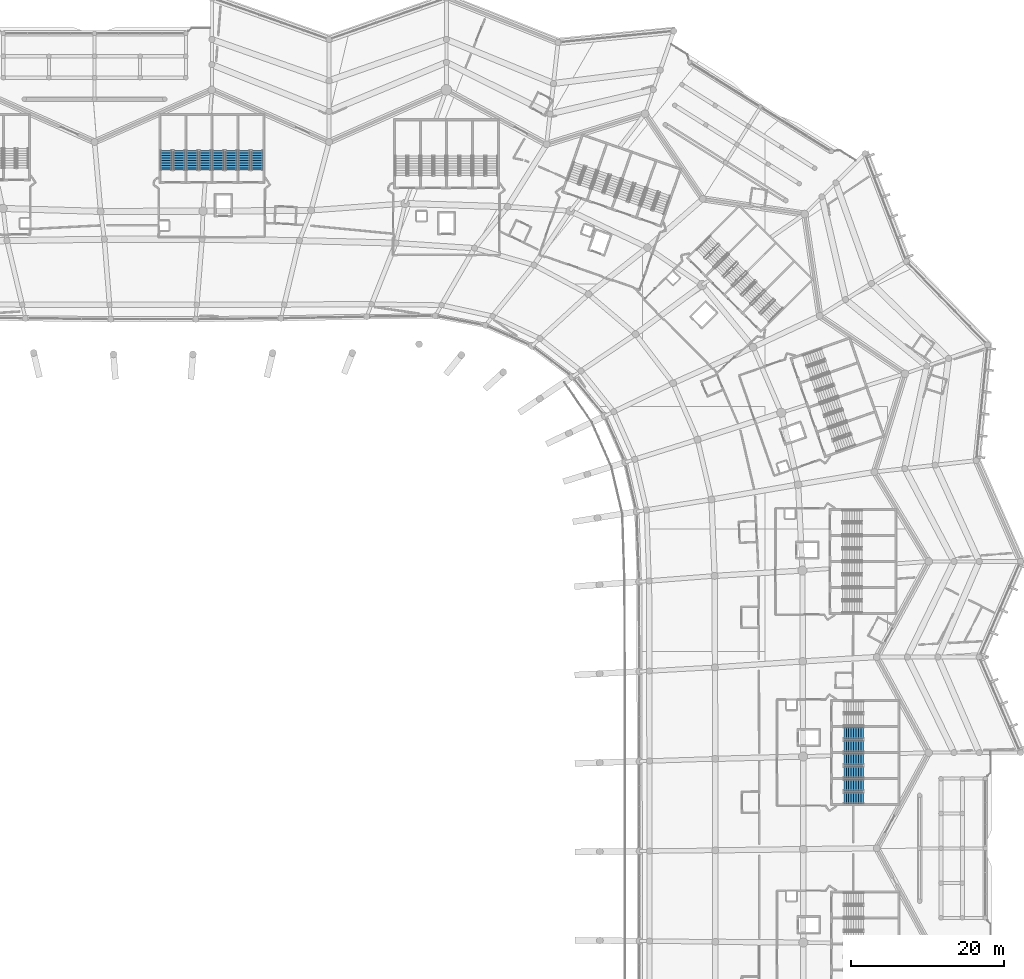
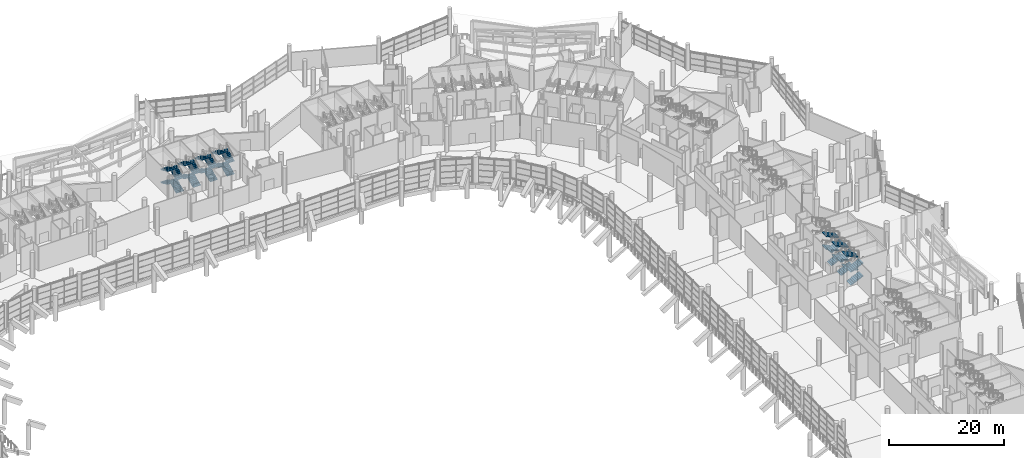
# One storey, part 217 of 271: 28 stair flights, 7 elements without a shape of their own.
"""IFC4 building model written with IfcOpenShell, lengths in metres."""

import ifcopenshell
import ifcopenshell.guid

model = None  # the IFC model being written
_history = None  # IfcOwnerHistory: only IFC2X3 demands one
_inside = {}  # id of a spatial element -> (the spatial element, [elements in it])
_under = {}  # id of a project, library or spatial element -> (it, [spatial elements below it])
_declared = {}  # id of a project -> (the project, [libraries it declares])
_typed = {}  # id of a type object -> (the type object, [elements of that type])
_made_of = {}  # id of a material, layer set ... -> (it, [elements and type objects made of it])


def new_model(schema):
    """Start an empty IFC model of exactly this schema.

    Asked for "IFC4X3", IfcOpenShell would pick the latest addendum, in which some entities
    have other attributes; the version numbers below select the first issue.
    IFC2X3 requires an IfcOwnerHistory on every rooted entity: one is made here for all.
    """
    global model, _history
    if schema == "IFC4X3":
        model = ifcopenshell.file(schema_version=(4, 3, 0, 0))
    else:
        model = ifcopenshell.file(schema=schema)
    _inside.clear()
    _under.clear()
    _declared.clear()
    _typed.clear()
    _made_of.clear()
    _history = None
    if model.schema == "IFC2X3":
        org = make("IfcOrganization", Name="unknown")
        user = make(
            "IfcPersonAndOrganization",
            ThePerson=make("IfcPerson", FamilyName="unknown"),
            TheOrganization=org,
        )
        app = make(
            "IfcApplication",
            ApplicationDeveloper=org,
            Version="unknown",
            ApplicationFullName="unknown",
            ApplicationIdentifier="unknown",
        )
        _history = make(
            "IfcOwnerHistory",
            OwningUser=user,
            OwningApplication=app,
            ChangeAction="ADDED",
            CreationDate=0,
        )
    return model


def make(cls, **values):
    """One entity of the class cls with the attributes given. An attribute that is None is left unset."""
    return model.create_entity(
        cls, **{name: value for name, value in values.items() if value is not None}
    )


def rooted(cls, **values):
    """An entity with a GlobalId (a new one), such as an element, a storey or a relation."""
    return make(cls, GlobalId=ifcopenshell.guid.new(), OwnerHistory=_history, **values)


def si_unit(unit_type, name, prefix=None):
    """IfcSIUnit, for example si_unit("LENGTHUNIT", "METRE", prefix="MILLI")."""
    return make("IfcSIUnit", UnitType=unit_type, Prefix=prefix, Name=name)


def assignment(units):
    """IfcUnitAssignment: the units of a project."""
    return None if units is None else make("IfcUnitAssignment", Units=units)


def point(xyz):
    """IfcCartesianPoint."""
    return None if xyz is None else make("IfcCartesianPoint", Coordinates=xyz)


def direction(xyz):
    """IfcDirection."""
    return None if xyz is None else make("IfcDirection", DirectionRatios=xyz)


def frame(location, z_axis=None, x_axis=None):
    """IfcAxis2Placement3D, a coordinate frame: its origin and axes. An axis left out is left unset."""
    return make(
        "IfcAxis2Placement3D",
        Location=point(location),
        Axis=direction(z_axis),
        RefDirection=direction(x_axis),
    )


def origin():
    """The frame at (0, 0, 0) with its axes left unset."""
    return frame((0.0, 0.0, 0.0))


def place(relative_to, where):
    """IfcLocalPlacement: puts the frame where relative to a parent placement (None: the world)."""
    return make(
        "IfcLocalPlacement", PlacementRelTo=relative_to, RelativePlacement=where
    )


def context(
    kind, dimensions, precision=None, world=None, true_north=None, identifier=None
):
    """IfcGeometricRepresentationContext, for example the 3D "Model" context."""
    return make(
        "IfcGeometricRepresentationContext",
        ContextIdentifier=identifier,
        ContextType=kind,
        CoordinateSpaceDimension=dimensions,
        Precision=precision,
        WorldCoordinateSystem=world,
        TrueNorth=true_north,
    )


def subcontext(parent, identifier, kind, view, scale=None):
    """IfcGeometricRepresentationSubContext, for example "Body" below "Model"."""
    return make(
        "IfcGeometricRepresentationSubContext",
        ContextIdentifier=identifier,
        ContextType=kind,
        ParentContext=parent,
        TargetScale=scale,
        TargetView=view,
    )


def project(units=None, contexts=None):
    """IfcProject with its units and contexts."""
    return rooted(
        "IfcProject",
        Name="project",
        RepresentationContexts=contexts,
        UnitsInContext=assignment(units),
    )


def spatial(cls, under=None, at=None, **own):
    """A site, building, storey or space (cls), placed at a placement, below another one or the project."""
    s = rooted(cls, ObjectPlacement=at, **own)
    if under is not None:
        _under.setdefault(under.id(), (under, []))[1].append(s)
    return s


def polyline(points):
    """IfcPolyline through the points."""
    return make("IfcPolyline", Points=[point(p) for p in points])


def outline(outer, holes=None, kind="AREA"):
    """IfcArbitraryClosedProfileDef: a profile drawn as a closed curve; with holes, ...WithVoids."""
    if holes is None:
        return make("IfcArbitraryClosedProfileDef", ProfileType=kind, OuterCurve=outer)
    return make(
        "IfcArbitraryProfileDefWithVoids",
        ProfileType=kind,
        OuterCurve=outer,
        InnerCurves=holes,
    )


def extrude(swept, where, along, depth):
    """IfcExtrudedAreaSolid: the profile swept, set in the frame where, extruded along a direction by depth."""
    return make(
        "IfcExtrudedAreaSolid",
        SweptArea=swept,
        Position=where,
        ExtrudedDirection=direction(along),
        Depth=depth,
    )


def shape(context_of_items, identifier, shape_type, items):
    """IfcShapeRepresentation: the items that make up one representation, for example the "Body"."""
    return make(
        "IfcShapeRepresentation",
        ContextOfItems=context_of_items,
        RepresentationIdentifier=identifier,
        RepresentationType=shape_type,
        Items=items,
    )


def material(Name=None, Category=None):
    """IfcMaterial."""
    return make("IfcMaterial", Name=Name, Category=Category)


def made_of(thing, what):
    """Note that an element or type object is made of a material, layer set ...; save() writes the relation."""
    if what is not None:
        _made_of.setdefault(what.id(), (what, []))[1].append(thing)
    return thing


def type_object(cls, material=None, **own):
    """A type object (cls), such as IfcWallType, which elements share."""
    return made_of(rooted(cls, **own), material)


def element(
    cls,
    number,
    at=None,
    inside=None,
    cuts=None,
    type_object=None,
    material=None,
    context=None,
    identifier="Body",
    shape_type=None,
    held_by="IfcProductDefinitionShape",
    body=None,
    shapes=None,
    **own,
):
    """One element of the class cls, such as IfcWall. Its Tag is "e" and its number.

    at: its placement. inside: the storey or other place that contains it. cuts: it is an
    opening in that element (IfcRelVoidsElement). A single representation is given by context,
    identifier, shape_type and body (its items); several are given by shapes. held_by: the class
    of the entity that holds the representations. save() writes the other relations.
    """
    e = rooted(cls, Tag="e%d" % number, ObjectPlacement=at, **own)
    if body is not None:
        shapes = [shape(context, identifier, shape_type, body)]
    if shapes is not None:
        e.Representation = make(held_by, Representations=shapes)
    if inside is not None:
        _inside.setdefault(inside.id(), (inside, []))[1].append(e)
    if cuts is not None:
        rooted(
            "IfcRelVoidsElement", RelatingBuildingElement=cuts, RelatedOpeningElement=e
        )
    if type_object is not None:
        _typed.setdefault(type_object.id(), (type_object, []))[1].append(e)
    return made_of(e, material)


def aggregate(whole, parts):
    """IfcRelAggregates: a whole, such as a stair, and the parts it consists of."""
    return rooted("IfcRelAggregates", RelatingObject=whole, RelatedObjects=parts)


def save(model, path):
    """Write the relations noted so far, then the file.

    IfcRelAggregates (storeys below a building ...), IfcRelContainedInSpatialStructure (elements
    in a storey), IfcRelDefinesByType, IfcRelAssociatesMaterial and IfcRelDeclares: one each for
    every whole, place, type object, material and project.
    """
    for whole, parts in _under.values():
        aggregate(whole, parts)
    for where, things in _inside.values():
        rooted(
            "IfcRelContainedInSpatialStructure",
            RelatedElements=things,
            RelatingStructure=where,
        )
    for kind, things in _typed.values():
        rooted("IfcRelDefinesByType", RelatedObjects=things, RelatingType=kind)
    for what, things in _made_of.values():
        rooted("IfcRelAssociatesMaterial", RelatedObjects=things, RelatingMaterial=what)
    for by, libraries in _declared.values():
        rooted("IfcRelDeclares", RelatingContext=by, RelatedDefinitions=libraries)
    model.write(path)


model = new_model("IFC4")

# Units and contexts
model_context = context("Model", 3, precision=1e-05, world=origin(), true_north=direction((0.0, 1.0)))
body_context = subcontext(model_context, "Body", "Model", "MODEL_VIEW")
ifc_project = project(units=[si_unit("LENGTHUNIT", "METRE"), si_unit("AREAUNIT", "SQUARE_METRE"), si_unit("VOLUMEUNIT", "CUBIC_METRE"), si_unit("PLANEANGLEUNIT", "RADIAN"), si_unit("MASSUNIT", "GRAM", prefix="KILO")], contexts=[model_context])

# Site, building, storey
site_placement = place(None, origin())
site = spatial("IfcSite", under=ifc_project, at=site_placement, CompositionType="ELEMENT")
building_placement = place(site_placement, origin())
building = spatial("IfcBuilding", under=site, at=building_placement, Name="Meseta Stadium", CompositionType="ELEMENT")
storey_placement = place(building_placement, frame((0.0, 0.0, 6.5)))
storey = spatial("IfcBuildingStorey", under=building, at=storey_placement, Name="L01", CompositionType="ELEMENT", Elevation=6.5)

# Stair, stair flights
ifc_material_1 = material(Name="Concrete C40/50", Category="concrete")
stair_type = type_object("IfcStairType", Name="Exit stair 4 flights 153 mm risers", PredefinedType="HALF_TURN_STAIR", material=ifc_material_1)
stair_1_placement = place(storey_placement, origin())
stair_1 = element("IfcStair", 1, at=stair_1_placement, inside=storey, type_object=stair_type, Name="ST13 L01", PredefinedType="HALF_TURN_STAIR")
ifc_material_2 = material(Name="Concrete C40/50", Category="concrete")
stair_flight_type = type_object("IfcStairFlightType", Name="Exit stair flight 153 mm risers, 4 per storey", PredefinedType="STRAIGHT", material=ifc_material_2)
stair_flight_1_placement = place(storey_placement, frame((90.300048828125, 12.800048828125, 0.0), z_axis=(0.0, 0.0, 1.0), x_axis=(1.0, 0.0, 0.0)))
stair_flight_1 = element("IfcStairFlight", 2, at=stair_flight_1_placement, type_object=stair_flight_type, Name="ST13 L01 flight 1", NumberOfRisers=9, NumberOfTreads=8, PredefinedType="STRAIGHT", RiserHeight=0.152777778, TreadLength=0.32, context=body_context, shape_type="SweptSolid", body=[
    extrude(outline(polyline([(0.0, 0.0), (0.0, 0.15283203125), (0.320068359375, 0.15283203125), (0.320068359375, 0.3056640625), (0.639892578125, 0.3056640625), (0.639892578125, 0.458251953125), (0.9599609375, 0.458251953125), (0.9599609375, 0.611083984375), (1.280029296875, 0.611083984375), (1.280029296875, 0.763916015625), (1.60009765625, 0.763916015625), (1.60009765625, 0.916748046875), (1.919921875, 0.916748046875), (1.919921875, 1.0693359375), (2.239990234375, 1.0693359375), (2.239990234375, 1.22216796875), (2.56005859375, 1.22216796875), (2.56005859375, 1.05615234375), (0.347900390625, 0.0), (0.0, 0.0)])), frame((0.0, 0.75, 0.0), z_axis=(0.0, -1.0, 0.0), x_axis=(1.0, 0.0, 0.0)), (0.0, 0.0, 1.0), 1.5),
])
stair_flight_2_placement = place(storey_placement, frame((92.860107421875, 14.5, 1.375), z_axis=(0.0, 0.0, 1.0), x_axis=(-1.0, 0.0, 0.0)))
stair_flight_2 = element("IfcStairFlight", 3, at=stair_flight_2_placement, type_object=stair_flight_type, Name="ST13 L01 flight 2", NumberOfRisers=9, NumberOfTreads=8, PredefinedType="STRAIGHT", RiserHeight=0.152777778, TreadLength=0.32, context=body_context, shape_type="SweptSolid", body=[
    extrude(outline(polyline([(0.0, 0.0), (0.0, 0.15283203125), (0.320068359375, 0.15283203125), (0.320068359375, 0.3056640625), (0.639892578125, 0.3056640625), (0.639892578125, 0.458251953125), (0.9599609375, 0.458251953125), (0.9599609375, 0.611083984375), (1.280029296875, 0.611083984375), (1.280029296875, 0.763916015625), (1.60009765625, 0.763916015625), (1.60009765625, 0.916748046875), (1.919921875, 0.916748046875), (1.919921875, 1.0693359375), (2.239990234375, 1.0693359375), (2.239990234375, 1.22216796875), (2.56005859375, 1.22216796875), (2.56005859375, 1.05615234375), (0.347900390625, 0.0), (0.0, 0.0)])), frame((0.0, 0.75, 0.0), z_axis=(0.0, -1.0, 0.0), x_axis=(1.0, 0.0, 0.0)), (0.0, 0.0, 1.0), 1.5),
])
stair_flight_3_placement = place(storey_placement, frame((90.300048828125, 12.800048828125, 2.75), z_axis=(0.0, 0.0, 1.0), x_axis=(1.0, 0.0, 0.0)))
stair_flight_3 = element("IfcStairFlight", 4, at=stair_flight_3_placement, type_object=stair_flight_type, Name="ST13 L01 flight 3", NumberOfRisers=9, NumberOfTreads=8, PredefinedType="STRAIGHT", RiserHeight=0.152777778, TreadLength=0.32, context=body_context, shape_type="SweptSolid", body=[
    extrude(outline(polyline([(0.0, 0.0), (0.0, 0.15283203125), (0.320068359375, 0.15283203125), (0.320068359375, 0.3056640625), (0.639892578125, 0.3056640625), (0.639892578125, 0.458251953125), (0.9599609375, 0.458251953125), (0.9599609375, 0.611083984375), (1.280029296875, 0.611083984375), (1.280029296875, 0.763916015625), (1.60009765625, 0.763916015625), (1.60009765625, 0.916748046875), (1.919921875, 0.916748046875), (1.919921875, 1.0693359375), (2.239990234375, 1.0693359375), (2.239990234375, 1.22216796875), (2.56005859375, 1.22216796875), (2.56005859375, 1.05615234375), (0.347900390625, 0.0), (0.0, 0.0)])), frame((0.0, 0.75, 0.0), z_axis=(0.0, -1.0, 0.0), x_axis=(1.0, 0.0, 0.0)), (0.0, 0.0, 1.0), 1.5),
])
stair_flight_4_placement = place(storey_placement, frame((92.860107421875, 14.5, 4.125), z_axis=(0.0, 0.0, 1.0), x_axis=(-1.0, 0.0, 0.0)))
stair_flight_4 = element("IfcStairFlight", 5, at=stair_flight_4_placement, type_object=stair_flight_type, Name="ST13 L01 flight 4", NumberOfRisers=9, NumberOfTreads=8, PredefinedType="STRAIGHT", RiserHeight=0.152777778, TreadLength=0.32, context=body_context, shape_type="SweptSolid", body=[
    extrude(outline(polyline([(0.0, 0.0), (0.0, 0.15283203125), (0.320068359375, 0.15283203125), (0.320068359375, 0.3056640625), (0.639892578125, 0.3056640625), (0.639892578125, 0.458251953125), (0.9599609375, 0.458251953125), (0.9599609375, 0.611083984375), (1.280029296875, 0.611083984375), (1.280029296875, 0.763916015625), (1.60009765625, 0.763916015625), (1.60009765625, 0.916748046875), (1.919921875, 0.916748046875), (1.919921875, 1.0693359375), (2.239990234375, 1.0693359375), (2.239990234375, 1.22216796875), (2.56005859375, 1.22216796875), (2.56005859375, 1.05615234375), (0.347900390625, 0.0), (0.0, 0.0)])), frame((0.0, 0.75, 0.0), z_axis=(0.0, -1.0, 0.0), x_axis=(1.0, 0.0, 0.0)), (0.0, 0.0, 1.0), 1.5),
])
aggregate(stair_1, [stair_flight_1, stair_flight_2, stair_flight_3, stair_flight_4])

stair_2_placement = place(storey_placement, origin())
stair_2 = element("IfcStair", 6, at=stair_2_placement, inside=storey, type_object=stair_type, Name="ST14 L01", PredefinedType="HALF_TURN_STAIR")
stair_flight_5_placement = place(storey_placement, frame((90.300048828125, 16.199951171875, 0.0), z_axis=(0.0, 0.0, 1.0), x_axis=(1.0, 0.0, 0.0)))
stair_flight_5 = element("IfcStairFlight", 7, at=stair_flight_5_placement, type_object=stair_flight_type, Name="ST14 L01 flight 1", NumberOfRisers=9, NumberOfTreads=8, PredefinedType="STRAIGHT", RiserHeight=0.152777778, TreadLength=0.32, context=body_context, shape_type="SweptSolid", body=[
    extrude(outline(polyline([(0.0, 0.0), (0.0, 0.15283203125), (0.320068359375, 0.15283203125), (0.320068359375, 0.3056640625), (0.639892578125, 0.3056640625), (0.639892578125, 0.458251953125), (0.9599609375, 0.458251953125), (0.9599609375, 0.611083984375), (1.280029296875, 0.611083984375), (1.280029296875, 0.763916015625), (1.60009765625, 0.763916015625), (1.60009765625, 0.916748046875), (1.919921875, 0.916748046875), (1.919921875, 1.0693359375), (2.239990234375, 1.0693359375), (2.239990234375, 1.22216796875), (2.56005859375, 1.22216796875), (2.56005859375, 1.05615234375), (0.347900390625, 0.0), (0.0, 0.0)])), frame((0.0, 0.75, 0.0), z_axis=(0.0, -1.0, 0.0), x_axis=(1.0, 0.0, 0.0)), (0.0, 0.0, 1.0), 1.5),
])
stair_flight_6_placement = place(storey_placement, frame((92.860107421875, 17.89990234375, 1.375), z_axis=(0.0, 0.0, 1.0), x_axis=(-1.0, 0.0, 0.0)))
stair_flight_6 = element("IfcStairFlight", 8, at=stair_flight_6_placement, type_object=stair_flight_type, Name="ST14 L01 flight 2", NumberOfRisers=9, NumberOfTreads=8, PredefinedType="STRAIGHT", RiserHeight=0.152777778, TreadLength=0.32, context=body_context, shape_type="SweptSolid", body=[
    extrude(outline(polyline([(0.0, 0.0), (0.0, 0.15283203125), (0.320068359375, 0.15283203125), (0.320068359375, 0.3056640625), (0.639892578125, 0.3056640625), (0.639892578125, 0.458251953125), (0.9599609375, 0.458251953125), (0.9599609375, 0.611083984375), (1.280029296875, 0.611083984375), (1.280029296875, 0.763916015625), (1.60009765625, 0.763916015625), (1.60009765625, 0.916748046875), (1.919921875, 0.916748046875), (1.919921875, 1.0693359375), (2.239990234375, 1.0693359375), (2.239990234375, 1.22216796875), (2.56005859375, 1.22216796875), (2.56005859375, 1.05615234375), (0.347900390625, 0.0), (0.0, 0.0)])), frame((0.0, 0.75, 0.0), z_axis=(0.0, -1.0, 0.0), x_axis=(1.0, 0.0, 0.0)), (0.0, 0.0, 1.0), 1.5),
])
stair_flight_7_placement = place(storey_placement, frame((90.300048828125, 16.199951171875, 2.75), z_axis=(0.0, 0.0, 1.0), x_axis=(1.0, 0.0, 0.0)))
stair_flight_7 = element("IfcStairFlight", 9, at=stair_flight_7_placement, type_object=stair_flight_type, Name="ST14 L01 flight 3", NumberOfRisers=9, NumberOfTreads=8, PredefinedType="STRAIGHT", RiserHeight=0.152777778, TreadLength=0.32, context=body_context, shape_type="SweptSolid", body=[
    extrude(outline(polyline([(0.0, 0.0), (0.0, 0.15283203125), (0.320068359375, 0.15283203125), (0.320068359375, 0.3056640625), (0.639892578125, 0.3056640625), (0.639892578125, 0.458251953125), (0.9599609375, 0.458251953125), (0.9599609375, 0.611083984375), (1.280029296875, 0.611083984375), (1.280029296875, 0.763916015625), (1.60009765625, 0.763916015625), (1.60009765625, 0.916748046875), (1.919921875, 0.916748046875), (1.919921875, 1.0693359375), (2.239990234375, 1.0693359375), (2.239990234375, 1.22216796875), (2.56005859375, 1.22216796875), (2.56005859375, 1.05615234375), (0.347900390625, 0.0), (0.0, 0.0)])), frame((0.0, 0.75, 0.0), z_axis=(0.0, -1.0, 0.0), x_axis=(1.0, 0.0, 0.0)), (0.0, 0.0, 1.0), 1.5),
])
stair_flight_8_placement = place(storey_placement, frame((92.860107421875, 17.89990234375, 4.125), z_axis=(0.0, 0.0, 1.0), x_axis=(-1.0, 0.0, 0.0)))
stair_flight_8 = element("IfcStairFlight", 10, at=stair_flight_8_placement, type_object=stair_flight_type, Name="ST14 L01 flight 4", NumberOfRisers=9, NumberOfTreads=8, PredefinedType="STRAIGHT", RiserHeight=0.152777778, TreadLength=0.32, context=body_context, shape_type="SweptSolid", body=[
    extrude(outline(polyline([(0.0, 0.0), (0.0, 0.15283203125), (0.320068359375, 0.15283203125), (0.320068359375, 0.3056640625), (0.639892578125, 0.3056640625), (0.639892578125, 0.458251953125), (0.9599609375, 0.458251953125), (0.9599609375, 0.611083984375), (1.280029296875, 0.611083984375), (1.280029296875, 0.763916015625), (1.60009765625, 0.763916015625), (1.60009765625, 0.916748046875), (1.919921875, 0.916748046875), (1.919921875, 1.0693359375), (2.239990234375, 1.0693359375), (2.239990234375, 1.22216796875), (2.56005859375, 1.22216796875), (2.56005859375, 1.05615234375), (0.347900390625, 0.0), (0.0, 0.0)])), frame((0.0, 0.75, 0.0), z_axis=(0.0, -1.0, 0.0), x_axis=(1.0, 0.0, 0.0)), (0.0, 0.0, 1.0), 1.5),
])
aggregate(stair_2, [stair_flight_5, stair_flight_6, stair_flight_7, stair_flight_8])

stair_3_placement = place(storey_placement, origin())
stair_3 = element("IfcStair", 11, at=stair_3_placement, inside=storey, type_object=stair_type, Name="ST15 L01", PredefinedType="HALF_TURN_STAIR")
stair_flight_9_placement = place(storey_placement, frame((90.300048828125, 19.60009765625, 0.0), z_axis=(0.0, 0.0, 1.0), x_axis=(1.0, 0.0, 0.0)))
stair_flight_9 = element("IfcStairFlight", 12, at=stair_flight_9_placement, type_object=stair_flight_type, Name="ST15 L01 flight 1", NumberOfRisers=9, NumberOfTreads=8, PredefinedType="STRAIGHT", RiserHeight=0.152777778, TreadLength=0.32, context=body_context, shape_type="SweptSolid", body=[
    extrude(outline(polyline([(0.0, 0.0), (0.0, 0.15283203125), (0.320068359375, 0.15283203125), (0.320068359375, 0.3056640625), (0.639892578125, 0.3056640625), (0.639892578125, 0.458251953125), (0.9599609375, 0.458251953125), (0.9599609375, 0.611083984375), (1.280029296875, 0.611083984375), (1.280029296875, 0.763916015625), (1.60009765625, 0.763916015625), (1.60009765625, 0.916748046875), (1.919921875, 0.916748046875), (1.919921875, 1.0693359375), (2.239990234375, 1.0693359375), (2.239990234375, 1.22216796875), (2.56005859375, 1.22216796875), (2.56005859375, 1.05615234375), (0.347900390625, 0.0), (0.0, 0.0)])), frame((0.0, 0.75, 0.0), z_axis=(0.0, -1.0, 0.0), x_axis=(1.0, 0.0, 0.0)), (0.0, 0.0, 1.0), 1.5),
])
stair_flight_10_placement = place(storey_placement, frame((92.860107421875, 21.300048828125, 1.375), z_axis=(0.0, 0.0, 1.0), x_axis=(-1.0, 0.0, 0.0)))
stair_flight_10 = element("IfcStairFlight", 13, at=stair_flight_10_placement, type_object=stair_flight_type, Name="ST15 L01 flight 2", NumberOfRisers=9, NumberOfTreads=8, PredefinedType="STRAIGHT", RiserHeight=0.152777778, TreadLength=0.32, context=body_context, shape_type="SweptSolid", body=[
    extrude(outline(polyline([(0.0, 0.0), (0.0, 0.15283203125), (0.320068359375, 0.15283203125), (0.320068359375, 0.3056640625), (0.639892578125, 0.3056640625), (0.639892578125, 0.458251953125), (0.9599609375, 0.458251953125), (0.9599609375, 0.611083984375), (1.280029296875, 0.611083984375), (1.280029296875, 0.763916015625), (1.60009765625, 0.763916015625), (1.60009765625, 0.916748046875), (1.919921875, 0.916748046875), (1.919921875, 1.0693359375), (2.239990234375, 1.0693359375), (2.239990234375, 1.22216796875), (2.56005859375, 1.22216796875), (2.56005859375, 1.05615234375), (0.347900390625, 0.0), (0.0, 0.0)])), frame((0.0, 0.75, 0.0), z_axis=(0.0, -1.0, 0.0), x_axis=(1.0, 0.0, 0.0)), (0.0, 0.0, 1.0), 1.5),
])
stair_flight_11_placement = place(storey_placement, frame((90.300048828125, 19.60009765625, 2.75), z_axis=(0.0, 0.0, 1.0), x_axis=(1.0, 0.0, 0.0)))
stair_flight_11 = element("IfcStairFlight", 14, at=stair_flight_11_placement, type_object=stair_flight_type, Name="ST15 L01 flight 3", NumberOfRisers=9, NumberOfTreads=8, PredefinedType="STRAIGHT", RiserHeight=0.152777778, TreadLength=0.32, context=body_context, shape_type="SweptSolid", body=[
    extrude(outline(polyline([(0.0, 0.0), (0.0, 0.15283203125), (0.320068359375, 0.15283203125), (0.320068359375, 0.3056640625), (0.639892578125, 0.3056640625), (0.639892578125, 0.458251953125), (0.9599609375, 0.458251953125), (0.9599609375, 0.611083984375), (1.280029296875, 0.611083984375), (1.280029296875, 0.763916015625), (1.60009765625, 0.763916015625), (1.60009765625, 0.916748046875), (1.919921875, 0.916748046875), (1.919921875, 1.0693359375), (2.239990234375, 1.0693359375), (2.239990234375, 1.22216796875), (2.56005859375, 1.22216796875), (2.56005859375, 1.05615234375), (0.347900390625, 0.0), (0.0, 0.0)])), frame((0.0, 0.75, 0.0), z_axis=(0.0, -1.0, 0.0), x_axis=(1.0, 0.0, 0.0)), (0.0, 0.0, 1.0), 1.5),
])
stair_flight_12_placement = place(storey_placement, frame((92.860107421875, 21.300048828125, 4.125), z_axis=(0.0, 0.0, 1.0), x_axis=(-1.0, 0.0, 0.0)))
stair_flight_12 = element("IfcStairFlight", 15, at=stair_flight_12_placement, type_object=stair_flight_type, Name="ST15 L01 flight 4", NumberOfRisers=9, NumberOfTreads=8, PredefinedType="STRAIGHT", RiserHeight=0.152777778, TreadLength=0.32, context=body_context, shape_type="SweptSolid", body=[
    extrude(outline(polyline([(0.0, 0.0), (0.0, 0.15283203125), (0.320068359375, 0.15283203125), (0.320068359375, 0.3056640625), (0.639892578125, 0.3056640625), (0.639892578125, 0.458251953125), (0.9599609375, 0.458251953125), (0.9599609375, 0.611083984375), (1.280029296875, 0.611083984375), (1.280029296875, 0.763916015625), (1.60009765625, 0.763916015625), (1.60009765625, 0.916748046875), (1.919921875, 0.916748046875), (1.919921875, 1.0693359375), (2.239990234375, 1.0693359375), (2.239990234375, 1.22216796875), (2.56005859375, 1.22216796875), (2.56005859375, 1.05615234375), (0.347900390625, 0.0), (0.0, 0.0)])), frame((0.0, 0.75, 0.0), z_axis=(0.0, -1.0, 0.0), x_axis=(1.0, 0.0, 0.0)), (0.0, 0.0, 1.0), 1.5),
])
aggregate(stair_3, [stair_flight_9, stair_flight_10, stair_flight_11, stair_flight_12])

stair_4_placement = place(storey_placement, origin())
stair_4 = element("IfcStair", 16, at=stair_4_placement, inside=storey, type_object=stair_type, Name="ST37 L01", PredefinedType="HALF_TURN_STAIR")
stair_flight_13_placement = place(storey_placement, frame((13.61669921875, 94.89990234375, 0.0), z_axis=(0.0, 0.0, 1.0), x_axis=(0.0, 1.0, 0.0)))
stair_flight_13 = element("IfcStairFlight", 17, at=stair_flight_13_placement, type_object=stair_flight_type, Name="ST37 L01 flight 1", NumberOfRisers=9, NumberOfTreads=8, PredefinedType="STRAIGHT", RiserHeight=0.152777778, TreadLength=0.32, context=body_context, shape_type="SweptSolid", body=[
    extrude(outline(polyline([(0.0, 0.0), (0.0, 0.15283203125), (0.320068359375, 0.15283203125), (0.320068359375, 0.3056640625), (0.639892578125, 0.3056640625), (0.639892578125, 0.458251953125), (0.9599609375, 0.458251953125), (0.9599609375, 0.611083984375), (1.280029296875, 0.611083984375), (1.280029296875, 0.763916015625), (1.60009765625, 0.763916015625), (1.60009765625, 0.916748046875), (1.919921875, 0.916748046875), (1.919921875, 1.0693359375), (2.239990234375, 1.0693359375), (2.239990234375, 1.22216796875), (2.56005859375, 1.22216796875), (2.56005859375, 1.05615234375), (0.347900390625, 0.0), (0.0, 0.0)])), frame((0.0, 0.75, 0.0), z_axis=(0.0, -1.0, 0.0), x_axis=(1.0, 0.0, 0.0)), (0.0, 0.0, 1.0), 1.5),
])
stair_flight_14_placement = place(storey_placement, frame((11.916748046875, 97.4599609375, 1.375), z_axis=(0.0, 0.0, 1.0), x_axis=(0.0, -1.0, 0.0)))
stair_flight_14 = element("IfcStairFlight", 18, at=stair_flight_14_placement, type_object=stair_flight_type, Name="ST37 L01 flight 2", NumberOfRisers=9, NumberOfTreads=8, PredefinedType="STRAIGHT", RiserHeight=0.152777778, TreadLength=0.32, context=body_context, shape_type="SweptSolid", body=[
    extrude(outline(polyline([(0.0, 0.0), (0.0, 0.15283203125), (0.320068359375, 0.15283203125), (0.320068359375, 0.3056640625), (0.639892578125, 0.3056640625), (0.639892578125, 0.458251953125), (0.9599609375, 0.458251953125), (0.9599609375, 0.611083984375), (1.280029296875, 0.611083984375), (1.280029296875, 0.763916015625), (1.60009765625, 0.763916015625), (1.60009765625, 0.916748046875), (1.919921875, 0.916748046875), (1.919921875, 1.0693359375), (2.239990234375, 1.0693359375), (2.239990234375, 1.22216796875), (2.56005859375, 1.22216796875), (2.56005859375, 1.05615234375), (0.347900390625, 0.0), (0.0, 0.0)])), frame((0.0, 0.75, 0.0), z_axis=(0.0, -1.0, 0.0), x_axis=(1.0, 0.0, 0.0)), (0.0, 0.0, 1.0), 1.5),
])
stair_flight_15_placement = place(storey_placement, frame((13.61669921875, 94.89990234375, 2.75), z_axis=(0.0, 0.0, 1.0), x_axis=(0.0, 1.0, 0.0)))
stair_flight_15 = element("IfcStairFlight", 19, at=stair_flight_15_placement, type_object=stair_flight_type, Name="ST37 L01 flight 3", NumberOfRisers=9, NumberOfTreads=8, PredefinedType="STRAIGHT", RiserHeight=0.152777778, TreadLength=0.32, context=body_context, shape_type="SweptSolid", body=[
    extrude(outline(polyline([(0.0, 0.0), (0.0, 0.15283203125), (0.320068359375, 0.15283203125), (0.320068359375, 0.3056640625), (0.639892578125, 0.3056640625), (0.639892578125, 0.458251953125), (0.9599609375, 0.458251953125), (0.9599609375, 0.611083984375), (1.280029296875, 0.611083984375), (1.280029296875, 0.763916015625), (1.60009765625, 0.763916015625), (1.60009765625, 0.916748046875), (1.919921875, 0.916748046875), (1.919921875, 1.0693359375), (2.239990234375, 1.0693359375), (2.239990234375, 1.22216796875), (2.56005859375, 1.22216796875), (2.56005859375, 1.05615234375), (0.347900390625, 0.0), (0.0, 0.0)])), frame((0.0, 0.75, 0.0), z_axis=(0.0, -1.0, 0.0), x_axis=(1.0, 0.0, 0.0)), (0.0, 0.0, 1.0), 1.5),
])
stair_flight_16_placement = place(storey_placement, frame((11.916748046875, 97.4599609375, 4.125), z_axis=(0.0, 0.0, 1.0), x_axis=(0.0, -1.0, 0.0)))
stair_flight_16 = element("IfcStairFlight", 20, at=stair_flight_16_placement, type_object=stair_flight_type, Name="ST37 L01 flight 4", NumberOfRisers=9, NumberOfTreads=8, PredefinedType="STRAIGHT", RiserHeight=0.152777778, TreadLength=0.32, context=body_context, shape_type="SweptSolid", body=[
    extrude(outline(polyline([(0.0, 0.0), (0.0, 0.15283203125), (0.320068359375, 0.15283203125), (0.320068359375, 0.3056640625), (0.639892578125, 0.3056640625), (0.639892578125, 0.458251953125), (0.9599609375, 0.458251953125), (0.9599609375, 0.611083984375), (1.280029296875, 0.611083984375), (1.280029296875, 0.763916015625), (1.60009765625, 0.763916015625), (1.60009765625, 0.916748046875), (1.919921875, 0.916748046875), (1.919921875, 1.0693359375), (2.239990234375, 1.0693359375), (2.239990234375, 1.22216796875), (2.56005859375, 1.22216796875), (2.56005859375, 1.05615234375), (0.347900390625, 0.0), (0.0, 0.0)])), frame((0.0, 0.75, 0.0), z_axis=(0.0, -1.0, 0.0), x_axis=(1.0, 0.0, 0.0)), (0.0, 0.0, 1.0), 1.5),
])
aggregate(stair_4, [stair_flight_13, stair_flight_14, stair_flight_15, stair_flight_16])

stair_5_placement = place(storey_placement, origin())
stair_5 = element("IfcStair", 21, at=stair_5_placement, inside=storey, type_object=stair_type, Name="ST38 L01", PredefinedType="HALF_TURN_STAIR")
stair_flight_17_placement = place(storey_placement, frame((10.216552734375, 94.89990234375, 0.0), z_axis=(0.0, 0.0, 1.0), x_axis=(0.0, 1.0, 0.0)))
stair_flight_17 = element("IfcStairFlight", 22, at=stair_flight_17_placement, type_object=stair_flight_type, Name="ST38 L01 flight 1", NumberOfRisers=9, NumberOfTreads=8, PredefinedType="STRAIGHT", RiserHeight=0.152777778, TreadLength=0.32, context=body_context, shape_type="SweptSolid", body=[
    extrude(outline(polyline([(0.0, 0.0), (0.0, 0.15283203125), (0.320068359375, 0.15283203125), (0.320068359375, 0.3056640625), (0.639892578125, 0.3056640625), (0.639892578125, 0.458251953125), (0.9599609375, 0.458251953125), (0.9599609375, 0.611083984375), (1.280029296875, 0.611083984375), (1.280029296875, 0.763916015625), (1.60009765625, 0.763916015625), (1.60009765625, 0.916748046875), (1.919921875, 0.916748046875), (1.919921875, 1.0693359375), (2.239990234375, 1.0693359375), (2.239990234375, 1.22216796875), (2.56005859375, 1.22216796875), (2.56005859375, 1.05615234375), (0.347900390625, 0.0), (0.0, 0.0)])), frame((0.0, 0.75, 0.0), z_axis=(0.0, -1.0, 0.0), x_axis=(1.0, 0.0, 0.0)), (0.0, 0.0, 1.0), 1.5),
])
stair_flight_18_placement = place(storey_placement, frame((8.5166015625, 97.4599609375, 1.375), z_axis=(0.0, 0.0, 1.0), x_axis=(0.0, -1.0, 0.0)))
stair_flight_18 = element("IfcStairFlight", 23, at=stair_flight_18_placement, type_object=stair_flight_type, Name="ST38 L01 flight 2", NumberOfRisers=9, NumberOfTreads=8, PredefinedType="STRAIGHT", RiserHeight=0.152777778, TreadLength=0.32, context=body_context, shape_type="SweptSolid", body=[
    extrude(outline(polyline([(0.0, 0.0), (0.0, 0.15283203125), (0.320068359375, 0.15283203125), (0.320068359375, 0.3056640625), (0.639892578125, 0.3056640625), (0.639892578125, 0.458251953125), (0.9599609375, 0.458251953125), (0.9599609375, 0.611083984375), (1.280029296875, 0.611083984375), (1.280029296875, 0.763916015625), (1.60009765625, 0.763916015625), (1.60009765625, 0.916748046875), (1.919921875, 0.916748046875), (1.919921875, 1.0693359375), (2.239990234375, 1.0693359375), (2.239990234375, 1.22216796875), (2.56005859375, 1.22216796875), (2.56005859375, 1.05615234375), (0.347900390625, 0.0), (0.0, 0.0)])), frame((0.0, 0.75, 0.0), z_axis=(0.0, -1.0, 0.0), x_axis=(1.0, 0.0, 0.0)), (0.0, 0.0, 1.0), 1.5),
])
stair_flight_19_placement = place(storey_placement, frame((10.216552734375, 94.89990234375, 2.75), z_axis=(0.0, 0.0, 1.0), x_axis=(0.0, 1.0, 0.0)))
stair_flight_19 = element("IfcStairFlight", 24, at=stair_flight_19_placement, type_object=stair_flight_type, Name="ST38 L01 flight 3", NumberOfRisers=9, NumberOfTreads=8, PredefinedType="STRAIGHT", RiserHeight=0.152777778, TreadLength=0.32, context=body_context, shape_type="SweptSolid", body=[
    extrude(outline(polyline([(0.0, 0.0), (0.0, 0.15283203125), (0.320068359375, 0.15283203125), (0.320068359375, 0.3056640625), (0.639892578125, 0.3056640625), (0.639892578125, 0.458251953125), (0.9599609375, 0.458251953125), (0.9599609375, 0.611083984375), (1.280029296875, 0.611083984375), (1.280029296875, 0.763916015625), (1.60009765625, 0.763916015625), (1.60009765625, 0.916748046875), (1.919921875, 0.916748046875), (1.919921875, 1.0693359375), (2.239990234375, 1.0693359375), (2.239990234375, 1.22216796875), (2.56005859375, 1.22216796875), (2.56005859375, 1.05615234375), (0.347900390625, 0.0), (0.0, 0.0)])), frame((0.0, 0.75, 0.0), z_axis=(0.0, -1.0, 0.0), x_axis=(1.0, 0.0, 0.0)), (0.0, 0.0, 1.0), 1.5),
])
stair_flight_20_placement = place(storey_placement, frame((8.5166015625, 97.4599609375, 4.125), z_axis=(0.0, 0.0, 1.0), x_axis=(0.0, -1.0, 0.0)))
stair_flight_20 = element("IfcStairFlight", 25, at=stair_flight_20_placement, type_object=stair_flight_type, Name="ST38 L01 flight 4", NumberOfRisers=9, NumberOfTreads=8, PredefinedType="STRAIGHT", RiserHeight=0.152777778, TreadLength=0.32, context=body_context, shape_type="SweptSolid", body=[
    extrude(outline(polyline([(0.0, 0.0), (0.0, 0.15283203125), (0.320068359375, 0.15283203125), (0.320068359375, 0.3056640625), (0.639892578125, 0.3056640625), (0.639892578125, 0.458251953125), (0.9599609375, 0.458251953125), (0.9599609375, 0.611083984375), (1.280029296875, 0.611083984375), (1.280029296875, 0.763916015625), (1.60009765625, 0.763916015625), (1.60009765625, 0.916748046875), (1.919921875, 0.916748046875), (1.919921875, 1.0693359375), (2.239990234375, 1.0693359375), (2.239990234375, 1.22216796875), (2.56005859375, 1.22216796875), (2.56005859375, 1.05615234375), (0.347900390625, 0.0), (0.0, 0.0)])), frame((0.0, 0.75, 0.0), z_axis=(0.0, -1.0, 0.0), x_axis=(1.0, 0.0, 0.0)), (0.0, 0.0, 1.0), 1.5),
])
aggregate(stair_5, [stair_flight_17, stair_flight_18, stair_flight_19, stair_flight_20])

stair_6_placement = place(storey_placement, origin())
stair_6 = element("IfcStair", 26, at=stair_6_placement, inside=storey, type_object=stair_type, Name="ST39 L01", PredefinedType="HALF_TURN_STAIR")
stair_flight_21_placement = place(storey_placement, frame((6.816650390625, 94.89990234375, 0.0), z_axis=(0.0, 0.0, 1.0), x_axis=(0.0, 1.0, 0.0)))
stair_flight_21 = element("IfcStairFlight", 27, at=stair_flight_21_placement, type_object=stair_flight_type, Name="ST39 L01 flight 1", NumberOfRisers=9, NumberOfTreads=8, PredefinedType="STRAIGHT", RiserHeight=0.152777778, TreadLength=0.32, context=body_context, shape_type="SweptSolid", body=[
    extrude(outline(polyline([(0.0, 0.0), (0.0, 0.15283203125), (0.320068359375, 0.15283203125), (0.320068359375, 0.3056640625), (0.639892578125, 0.3056640625), (0.639892578125, 0.458251953125), (0.9599609375, 0.458251953125), (0.9599609375, 0.611083984375), (1.280029296875, 0.611083984375), (1.280029296875, 0.763916015625), (1.60009765625, 0.763916015625), (1.60009765625, 0.916748046875), (1.919921875, 0.916748046875), (1.919921875, 1.0693359375), (2.239990234375, 1.0693359375), (2.239990234375, 1.22216796875), (2.56005859375, 1.22216796875), (2.56005859375, 1.05615234375), (0.347900390625, 0.0), (0.0, 0.0)])), frame((0.0, 0.75, 0.0), z_axis=(0.0, -1.0, 0.0), x_axis=(1.0, 0.0, 0.0)), (0.0, 0.0, 1.0), 1.5),
])
stair_flight_22_placement = place(storey_placement, frame((5.11669921875, 97.4599609375, 1.375), z_axis=(0.0, 0.0, 1.0), x_axis=(0.0, -1.0, 0.0)))
stair_flight_22 = element("IfcStairFlight", 28, at=stair_flight_22_placement, type_object=stair_flight_type, Name="ST39 L01 flight 2", NumberOfRisers=9, NumberOfTreads=8, PredefinedType="STRAIGHT", RiserHeight=0.152777778, TreadLength=0.32, context=body_context, shape_type="SweptSolid", body=[
    extrude(outline(polyline([(0.0, 0.0), (0.0, 0.15283203125), (0.320068359375, 0.15283203125), (0.320068359375, 0.3056640625), (0.639892578125, 0.3056640625), (0.639892578125, 0.458251953125), (0.9599609375, 0.458251953125), (0.9599609375, 0.611083984375), (1.280029296875, 0.611083984375), (1.280029296875, 0.763916015625), (1.60009765625, 0.763916015625), (1.60009765625, 0.916748046875), (1.919921875, 0.916748046875), (1.919921875, 1.0693359375), (2.239990234375, 1.0693359375), (2.239990234375, 1.22216796875), (2.56005859375, 1.22216796875), (2.56005859375, 1.05615234375), (0.347900390625, 0.0), (0.0, 0.0)])), frame((0.0, 0.75, 0.0), z_axis=(0.0, -1.0, 0.0), x_axis=(1.0, 0.0, 0.0)), (0.0, 0.0, 1.0), 1.5),
])
stair_flight_23_placement = place(storey_placement, frame((6.816650390625, 94.89990234375, 2.75), z_axis=(0.0, 0.0, 1.0), x_axis=(0.0, 1.0, 0.0)))
stair_flight_23 = element("IfcStairFlight", 29, at=stair_flight_23_placement, type_object=stair_flight_type, Name="ST39 L01 flight 3", NumberOfRisers=9, NumberOfTreads=8, PredefinedType="STRAIGHT", RiserHeight=0.152777778, TreadLength=0.32, context=body_context, shape_type="SweptSolid", body=[
    extrude(outline(polyline([(0.0, 0.0), (0.0, 0.15283203125), (0.320068359375, 0.15283203125), (0.320068359375, 0.3056640625), (0.639892578125, 0.3056640625), (0.639892578125, 0.458251953125), (0.9599609375, 0.458251953125), (0.9599609375, 0.611083984375), (1.280029296875, 0.611083984375), (1.280029296875, 0.763916015625), (1.60009765625, 0.763916015625), (1.60009765625, 0.916748046875), (1.919921875, 0.916748046875), (1.919921875, 1.0693359375), (2.239990234375, 1.0693359375), (2.239990234375, 1.22216796875), (2.56005859375, 1.22216796875), (2.56005859375, 1.05615234375), (0.347900390625, 0.0), (0.0, 0.0)])), frame((0.0, 0.75, 0.0), z_axis=(0.0, -1.0, 0.0), x_axis=(1.0, 0.0, 0.0)), (0.0, 0.0, 1.0), 1.5),
])
stair_flight_24_placement = place(storey_placement, frame((5.11669921875, 97.4599609375, 4.125), z_axis=(0.0, 0.0, 1.0), x_axis=(0.0, -1.0, 0.0)))
stair_flight_24 = element("IfcStairFlight", 30, at=stair_flight_24_placement, type_object=stair_flight_type, Name="ST39 L01 flight 4", NumberOfRisers=9, NumberOfTreads=8, PredefinedType="STRAIGHT", RiserHeight=0.152777778, TreadLength=0.32, context=body_context, shape_type="SweptSolid", body=[
    extrude(outline(polyline([(0.0, 0.0), (0.0, 0.15283203125), (0.320068359375, 0.15283203125), (0.320068359375, 0.3056640625), (0.639892578125, 0.3056640625), (0.639892578125, 0.458251953125), (0.9599609375, 0.458251953125), (0.9599609375, 0.611083984375), (1.280029296875, 0.611083984375), (1.280029296875, 0.763916015625), (1.60009765625, 0.763916015625), (1.60009765625, 0.916748046875), (1.919921875, 0.916748046875), (1.919921875, 1.0693359375), (2.239990234375, 1.0693359375), (2.239990234375, 1.22216796875), (2.56005859375, 1.22216796875), (2.56005859375, 1.05615234375), (0.347900390625, 0.0), (0.0, 0.0)])), frame((0.0, 0.75, 0.0), z_axis=(0.0, -1.0, 0.0), x_axis=(1.0, 0.0, 0.0)), (0.0, 0.0, 1.0), 1.5),
])
aggregate(stair_6, [stair_flight_21, stair_flight_22, stair_flight_23, stair_flight_24])

stair_7_placement = place(storey_placement, origin())
stair_7 = element("IfcStair", 31, at=stair_7_placement, inside=storey, type_object=stair_type, Name="ST40 L01", PredefinedType="HALF_TURN_STAIR")
stair_flight_25_placement = place(storey_placement, frame((3.416748046875, 94.89990234375, 0.0), z_axis=(0.0, 0.0, 1.0), x_axis=(0.0, 1.0, 0.0)))
stair_flight_25 = element("IfcStairFlight", 32, at=stair_flight_25_placement, type_object=stair_flight_type, Name="ST40 L01 flight 1", NumberOfRisers=9, NumberOfTreads=8, PredefinedType="STRAIGHT", RiserHeight=0.152777778, TreadLength=0.32, context=body_context, shape_type="SweptSolid", body=[
    extrude(outline(polyline([(0.0, 0.0), (0.0, 0.15283203125), (0.320068359375, 0.15283203125), (0.320068359375, 0.3056640625), (0.639892578125, 0.3056640625), (0.639892578125, 0.458251953125), (0.9599609375, 0.458251953125), (0.9599609375, 0.611083984375), (1.280029296875, 0.611083984375), (1.280029296875, 0.763916015625), (1.60009765625, 0.763916015625), (1.60009765625, 0.916748046875), (1.919921875, 0.916748046875), (1.919921875, 1.0693359375), (2.239990234375, 1.0693359375), (2.239990234375, 1.22216796875), (2.56005859375, 1.22216796875), (2.56005859375, 1.05615234375), (0.347900390625, 0.0), (0.0, 0.0)])), frame((0.0, 0.75, 0.0), z_axis=(0.0, -1.0, 0.0), x_axis=(1.0, 0.0, 0.0)), (0.0, 0.0, 1.0), 1.5),
])
stair_flight_26_placement = place(storey_placement, frame((1.716552734375, 97.4599609375, 1.375), z_axis=(0.0, 0.0, 1.0), x_axis=(0.0, -1.0, 0.0)))
stair_flight_26 = element("IfcStairFlight", 33, at=stair_flight_26_placement, type_object=stair_flight_type, Name="ST40 L01 flight 2", NumberOfRisers=9, NumberOfTreads=8, PredefinedType="STRAIGHT", RiserHeight=0.152777778, TreadLength=0.32, context=body_context, shape_type="SweptSolid", body=[
    extrude(outline(polyline([(0.0, 0.0), (0.0, 0.15283203125), (0.320068359375, 0.15283203125), (0.320068359375, 0.3056640625), (0.639892578125, 0.3056640625), (0.639892578125, 0.458251953125), (0.9599609375, 0.458251953125), (0.9599609375, 0.611083984375), (1.280029296875, 0.611083984375), (1.280029296875, 0.763916015625), (1.60009765625, 0.763916015625), (1.60009765625, 0.916748046875), (1.919921875, 0.916748046875), (1.919921875, 1.0693359375), (2.239990234375, 1.0693359375), (2.239990234375, 1.22216796875), (2.56005859375, 1.22216796875), (2.56005859375, 1.05615234375), (0.347900390625, 0.0), (0.0, 0.0)])), frame((0.0, 0.75, 0.0), z_axis=(0.0, -1.0, 0.0), x_axis=(1.0, 0.0, 0.0)), (0.0, 0.0, 1.0), 1.5),
])
stair_flight_27_placement = place(storey_placement, frame((3.416748046875, 94.89990234375, 2.75), z_axis=(0.0, 0.0, 1.0), x_axis=(0.0, 1.0, 0.0)))
stair_flight_27 = element("IfcStairFlight", 34, at=stair_flight_27_placement, type_object=stair_flight_type, Name="ST40 L01 flight 3", NumberOfRisers=9, NumberOfTreads=8, PredefinedType="STRAIGHT", RiserHeight=0.152777778, TreadLength=0.32, context=body_context, shape_type="SweptSolid", body=[
    extrude(outline(polyline([(0.0, 0.0), (0.0, 0.15283203125), (0.320068359375, 0.15283203125), (0.320068359375, 0.3056640625), (0.639892578125, 0.3056640625), (0.639892578125, 0.458251953125), (0.9599609375, 0.458251953125), (0.9599609375, 0.611083984375), (1.280029296875, 0.611083984375), (1.280029296875, 0.763916015625), (1.60009765625, 0.763916015625), (1.60009765625, 0.916748046875), (1.919921875, 0.916748046875), (1.919921875, 1.0693359375), (2.239990234375, 1.0693359375), (2.239990234375, 1.22216796875), (2.56005859375, 1.22216796875), (2.56005859375, 1.05615234375), (0.347900390625, 0.0), (0.0, 0.0)])), frame((0.0, 0.75, 0.0), z_axis=(0.0, -1.0, 0.0), x_axis=(1.0, 0.0, 0.0)), (0.0, 0.0, 1.0), 1.5),
])
stair_flight_28_placement = place(storey_placement, frame((1.716552734375, 97.4599609375, 4.125), z_axis=(0.0, 0.0, 1.0), x_axis=(0.0, -1.0, 0.0)))
stair_flight_28 = element("IfcStairFlight", 35, at=stair_flight_28_placement, type_object=stair_flight_type, Name="ST40 L01 flight 4", NumberOfRisers=9, NumberOfTreads=8, PredefinedType="STRAIGHT", RiserHeight=0.152777778, TreadLength=0.32, context=body_context, shape_type="SweptSolid", body=[
    extrude(outline(polyline([(0.0, 0.0), (0.0, 0.15283203125), (0.320068359375, 0.15283203125), (0.320068359375, 0.3056640625), (0.639892578125, 0.3056640625), (0.639892578125, 0.458251953125), (0.9599609375, 0.458251953125), (0.9599609375, 0.611083984375), (1.280029296875, 0.611083984375), (1.280029296875, 0.763916015625), (1.60009765625, 0.763916015625), (1.60009765625, 0.916748046875), (1.919921875, 0.916748046875), (1.919921875, 1.0693359375), (2.239990234375, 1.0693359375), (2.239990234375, 1.22216796875), (2.56005859375, 1.22216796875), (2.56005859375, 1.05615234375), (0.347900390625, 0.0), (0.0, 0.0)])), frame((0.0, 0.75, 0.0), z_axis=(0.0, -1.0, 0.0), x_axis=(1.0, 0.0, 0.0)), (0.0, 0.0, 1.0), 1.5),
])
aggregate(stair_7, [stair_flight_25, stair_flight_26, stair_flight_27, stair_flight_28])

save(model, "model.ifc")
